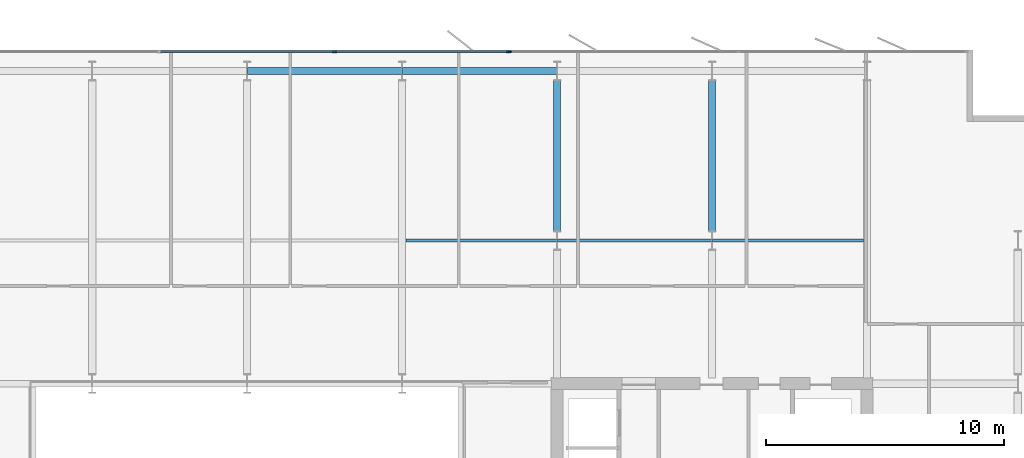
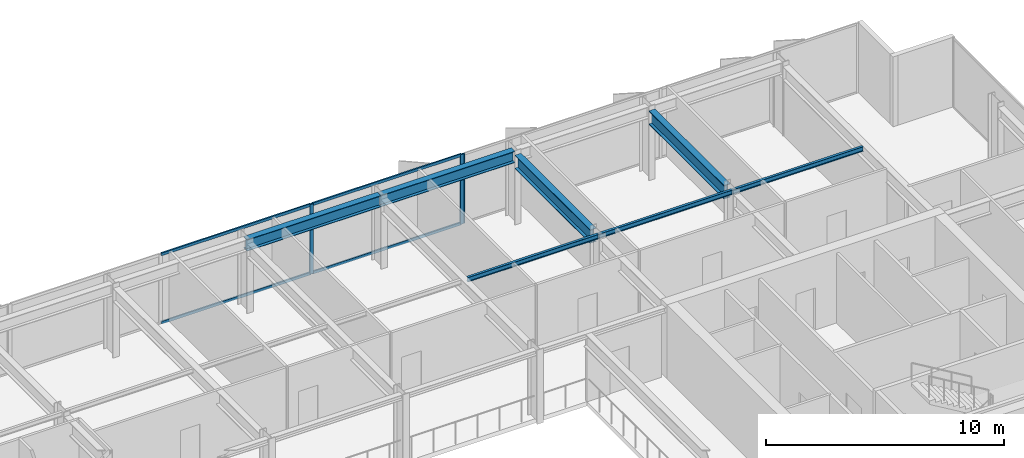
# One storey, part 12 of 23: 7 beams, 7 members, 2 elements without a shape of their own.
"""IFC4 building model written with IfcOpenShell, lengths in metres."""

from ifc_helpers import new_model, si_unit, direction, frame, origin, origin_2d, place, context, subcontext, project, spatial, rectangle, i_section, extrude, material, layer, layer_set, material_profile, profile_set, type_object, element, aggregate, save


model = new_model("IFC4")

# Units and contexts
model_context = context("Model", 3, precision=1e-05, world=origin(), true_north=direction((0.0, 1.0)))
body_context = subcontext(model_context, "Body", "Model", "MODEL_VIEW")
ifc_project = project(units=[si_unit("LENGTHUNIT", "METRE"), si_unit("AREAUNIT", "SQUARE_METRE"), si_unit("VOLUMEUNIT", "CUBIC_METRE"), si_unit("PLANEANGLEUNIT", "RADIAN"), si_unit("MASSUNIT", "GRAM", prefix="KILO")], contexts=[model_context])

# Site, building, storey
site_placement = place(None, origin())
site = spatial("IfcSite", under=ifc_project, at=site_placement, CompositionType="ELEMENT")
building_placement = place(site_placement, origin())
building = spatial("IfcBuilding", under=site, at=building_placement, Name="Putna Gate Headquarters", CompositionType="ELEMENT")
storey_placement = place(building_placement, frame((0.0, 0.0, 229.0)))
storey = spatial("IfcBuildingStorey", under=building, at=storey_placement, Name="L57", CompositionType="ELEMENT", Elevation=229.0)

# Beams
ifc_material_1 = material(Name="Steel S355J2", Category="steel")
ifc_material_profile_1 = material_profile(ifc_material_1, i_section(OverallWidth=0.300048828125, OverallDepth=0.699951171875, WebThickness=0.01708984375, FlangeThickness=0.031982421875, at=origin_2d()), Name="Steel S355J2")
ifc_profile_set_1 = profile_set([ifc_material_profile_1], Name="Steel S355J2")
beam_type_1 = type_object("IfcBeamType", Name="BM-GIRD-B-HEB700", PredefinedType="USERDEFINED", material=ifc_profile_set_1)
for number, where, z_axis, x_axis, name in (
    (1, (52.0, 39.39501953125, 3.22998046875), (0.0, 1.0, 0.0), (-1.0, 0.0, 0.0), "L57 North Primary Girder X52-2"),
    (2, (58.5, 39.39501953125, 3.22998046875), (0.0, 1.0, 0.0), (-1.0, 0.0, 0.0), "L57 North Primary Girder X58-2"),
):
    element("IfcBeam", number, at=place(storey_placement, frame(where, z_axis=z_axis, x_axis=x_axis)), inside=storey, type_object=beam_type_1, Name=name, ObjectType="GIRDER", PredefinedType="USERDEFINED", context=body_context, shape_type="SweptSolid", body=[
        extrude(i_section(OverallWidth=0.300048828125, OverallDepth=0.699951171875, WebThickness=0.01708984375, FlangeThickness=0.031982421875, at=origin_2d()), origin(), (0.0, 0.0, 1.0), 6.330078125),
    ])
ifc_material_profile_2 = material_profile(ifc_material_1, i_section(OverallWidth=0.1201171875, OverallDepth=0.239990234375, WebThickness=0.006103515625, FlangeThickness=0.009765625, at=origin_2d()), Name="Steel S355J2")
ifc_profile_set_2 = profile_set([ifc_material_profile_2], Name="Steel S355J2")
beam_type_2 = type_object("IfcBeamType", Name="BM-SEC-Z4-IPE240", PredefinedType="JOIST", material=ifc_profile_set_2)
beam_1_placement = place(storey_placement, frame((45.654052734375, 39.0, 3.4599609375), z_axis=(1.0, 0.0, 0.0), x_axis=(0.0, 1.0, 0.0)))
element("IfcBeam", 3, at=beam_1_placement, inside=storey, type_object=beam_type_2, Name="L57 North Secondary Beam 6", PredefinedType="JOIST", context=body_context, shape_type="SweptSolid", body=[
    extrude(i_section(OverallWidth=0.1201171875, OverallDepth=0.239990234375, WebThickness=0.006103515625, FlangeThickness=0.009765625, at=origin_2d()), origin(), (0.0, 0.0, 1.0), 6.33984375),
])
beam_2_placement = place(storey_placement, frame((52.006103515625, 39.0, 3.4599609375), z_axis=(1.0, 0.0, 0.0), x_axis=(0.0, 1.0, 0.0)))
element("IfcBeam", 4, at=beam_2_placement, inside=storey, type_object=beam_type_2, Name="L57 North Secondary Beam 7", PredefinedType="JOIST", context=body_context, shape_type="SweptSolid", body=[
    extrude(i_section(OverallWidth=0.1201171875, OverallDepth=0.239990234375, WebThickness=0.006103515625, FlangeThickness=0.009765625, at=origin_2d()), origin(), (0.0, 0.0, 1.0), 6.48779296875),
])
beam_3_placement = place(storey_placement, frame((58.506103515625, 39.0, 3.4599609375), z_axis=(1.0, 0.0, 0.0), x_axis=(0.0, 1.0, 0.0)))
element("IfcBeam", 5, at=beam_3_placement, inside=storey, type_object=beam_type_2, Name="L57 North Secondary Beam 8", PredefinedType="JOIST", context=body_context, shape_type="SweptSolid", body=[
    extrude(i_section(OverallWidth=0.1201171875, OverallDepth=0.239990234375, WebThickness=0.006103515625, FlangeThickness=0.009765625, at=origin_2d()), origin(), (0.0, 0.0, 1.0), 6.33984375),
])
ifc_material_profile_3 = material_profile(ifc_material_1, i_section(OverallWidth=0.300048828125, OverallDepth=0.590087890625, WebThickness=0.012939453125, FlangeThickness=0.02490234375, at=origin_2d()), Name="Steel S355J2")
ifc_profile_set_3 = profile_set([ifc_material_profile_3], Name="Steel S355J2")
beam_type_3 = type_object("IfcBeamType", Name="BM-SPAN-Z4-HEA600", PredefinedType="SPANDREL", material=ifc_profile_set_3)
for number, where, z_axis, x_axis, name in (
    (6, (39.006103515625, 46.1201171875, 3.284912109375), (1.0, 0.0, 0.0), (0.0, 1.0, 0.0), "L57 N Perimeter Spandrel 5"),
    (7, (45.506103515625, 46.1201171875, 3.284912109375), (1.0, 0.0, 0.0), (0.0, 1.0, 0.0), "L57 N Perimeter Spandrel 6"),
):
    element("IfcBeam", number, at=place(storey_placement, frame(where, z_axis=z_axis, x_axis=x_axis)), inside=storey, type_object=beam_type_3, Name=name, PredefinedType="SPANDREL", context=body_context, shape_type="SweptSolid", body=[
        extrude(i_section(OverallWidth=0.300048828125, OverallDepth=0.590087890625, WebThickness=0.012939453125, FlangeThickness=0.02490234375, at=origin_2d()), origin(), (0.0, 0.0, 1.0), 6.48779296875),
    ])

# Curtain wall, member
ifc_material_2 = material(Name="Anodised bronze aluminium curtain wall", Category="aluminium")
ifc_layer_1 = layer(ifc_material_2, 0.139892578125)
ifc_layer_set_1 = layer_set([ifc_layer_1], Name="Anodised bronze aluminium curtain wall")
curtain_wall_type_1 = type_object("IfcCurtainWallType", Name="CW-SYS-Z4", PredefinedType="USERDEFINED", material=ifc_layer_set_1)
curtain_wall_1_placement = place(storey_placement, origin())
curtain_wall_1 = element("IfcCurtainWall", 8, at=curtain_wall_1_placement, inside=storey, type_object=curtain_wall_type_1, Name="L57 North East Curtain Wall", ObjectType="STICK CURTAIN WALL", PredefinedType="USERDEFINED")
ifc_material_3 = material(Name="Anodised bronze aluminium EN AW-6060", Category="aluminium")
ifc_material_profile_4 = material_profile(ifc_material_3, rectangle(XDim=0.06005859375, YDim=0.139892578125, at=origin_2d()), Name="Anodised bronze aluminium EN AW-6060")
ifc_profile_set_4 = profile_set([ifc_material_profile_4], Name="Anodised bronze aluminium EN AW-6060")
member_type_1 = type_object("IfcMemberType", Name="MULL-CWM-4", PredefinedType="MULLION", material=ifc_profile_set_4)
member_1_placement = place(storey_placement, frame((50.030029296875, 46.919921875, 0.0), z_axis=(0.0, 0.0, 1.0), x_axis=(0.0, 1.0, 0.0)))
member_1 = element("IfcMember", 9, at=member_1_placement, type_object=member_type_1, Name="CWS-4 mullion 1", PredefinedType="MULLION", context=body_context, shape_type="SweptSolid", body=[
    extrude(rectangle(XDim=0.06005859375, YDim=0.139892578125, at=origin_2d()), origin(), (0.0, 0.0, 1.0), 3.580078125),
])
aggregate(curtain_wall_1, [member_1])

# Curtain wall, members
ifc_layer_2 = layer(ifc_material_2, 0.179931640625)
ifc_layer_set_2 = layer_set([ifc_layer_2], Name="Anodised bronze aluminium curtain wall")
curtain_wall_type_2 = type_object("IfcCurtainWallType", Name="CW-SYS-ATR", PredefinedType="USERDEFINED", material=ifc_layer_set_2)
curtain_wall_2_placement = place(storey_placement, origin())
curtain_wall_2 = element("IfcCurtainWall", 10, at=curtain_wall_2_placement, inside=storey, type_object=curtain_wall_type_2, Name="L57 North Atrium Clear Glazing", ObjectType="ATRIUM GLAZING", PredefinedType="USERDEFINED")
ifc_material_profile_5 = material_profile(ifc_material_3, rectangle(XDim=0.070068359375, YDim=0.179931640625, at=origin_2d()), Name="Anodised bronze aluminium EN AW-6060")
ifc_profile_set_5 = profile_set([ifc_material_profile_5], Name="Anodised bronze aluminium EN AW-6060")
member_type_2 = type_object("IfcMemberType", Name="MULL-CWM-AT", PredefinedType="MULLION", material=ifc_profile_set_5)
member_2_placement = place(storey_placement, frame((42.666748046875, 46.919921875, 0.0), z_axis=(0.0, 0.0, 1.0), x_axis=(0.0, 1.0, 0.0)))
member_2 = element("IfcMember", 11, at=member_2_placement, type_object=member_type_2, Name="CWS-AT mullion 3", PredefinedType="MULLION", context=body_context, shape_type="SweptSolid", body=[
    extrude(rectangle(XDim=0.070068359375, YDim=0.179931640625, at=origin_2d()), origin(), (0.0, 0.0, 1.0), 3.580078125),
])
member_3_placement = place(storey_placement, frame((49.965087890625, 46.919921875, 0.0), z_axis=(0.0, 0.0, 1.0), x_axis=(0.0, 1.0, 0.0)))
member_3 = element("IfcMember", 12, at=member_3_placement, type_object=member_type_2, Name="CWS-AT mullion 4", PredefinedType="MULLION", context=body_context, shape_type="SweptSolid", body=[
    extrude(rectangle(XDim=0.070068359375, YDim=0.179931640625, at=origin_2d()), origin(), (0.0, 0.0, 1.0), 3.580078125),
])
ifc_material_profile_6 = material_profile(ifc_material_3, rectangle(XDim=0.070068359375, YDim=0.139892578125, at=origin_2d()), Name="Anodised bronze aluminium EN AW-6060")
ifc_profile_set_6 = profile_set([ifc_material_profile_6], Name="Anodised bronze aluminium EN AW-6060")
member_type_3 = type_object("IfcMemberType", Name="TRAN-CWT-AT", PredefinedType="USERDEFINED", material=ifc_profile_set_6)
member_4_placement = place(storey_placement, frame((35.368408203125, 46.919921875, 0.034912109375), z_axis=(1.0, 0.0, 0.0), x_axis=(0.0, 1.0, 0.0)))
member_4 = element("IfcMember", 13, at=member_4_placement, type_object=member_type_3, Name="CWS-AT transom 2.1", ObjectType="TRANSOM", PredefinedType="USERDEFINED", context=body_context, shape_type="SweptSolid", body=[
    extrude(rectangle(XDim=0.070068359375, YDim=0.139892578125, at=origin_2d()), origin(), (0.0, 0.0, 1.0), 7.26318359375),
])
member_5_placement = place(storey_placement, frame((35.368408203125, 46.919921875, 3.544921875), z_axis=(1.0, 0.0, 0.0), x_axis=(0.0, 1.0, 0.0)))
member_5 = element("IfcMember", 14, at=member_5_placement, type_object=member_type_3, Name="CWS-AT transom 2.2", ObjectType="TRANSOM", PredefinedType="USERDEFINED", context=body_context, shape_type="SweptSolid", body=[
    extrude(rectangle(XDim=0.070068359375, YDim=0.139892578125, at=origin_2d()), origin(), (0.0, 0.0, 1.0), 7.26318359375),
])
member_6_placement = place(storey_placement, frame((42.70166015625, 46.919921875, 0.034912109375), z_axis=(1.0, 0.0, 0.0), x_axis=(0.0, 1.0, 0.0)))
member_6 = element("IfcMember", 15, at=member_6_placement, type_object=member_type_3, Name="CWS-AT transom 3.1", ObjectType="TRANSOM", PredefinedType="USERDEFINED", context=body_context, shape_type="SweptSolid", body=[
    extrude(rectangle(XDim=0.070068359375, YDim=0.139892578125, at=origin_2d()), origin(), (0.0, 0.0, 1.0), 7.228271484375),
])
member_7_placement = place(storey_placement, frame((42.70166015625, 46.919921875, 3.544921875), z_axis=(1.0, 0.0, 0.0), x_axis=(0.0, 1.0, 0.0)))
member_7 = element("IfcMember", 16, at=member_7_placement, type_object=member_type_3, Name="CWS-AT transom 3.2", ObjectType="TRANSOM", PredefinedType="USERDEFINED", context=body_context, shape_type="SweptSolid", body=[
    extrude(rectangle(XDim=0.070068359375, YDim=0.139892578125, at=origin_2d()), origin(), (0.0, 0.0, 1.0), 7.228271484375),
])
aggregate(curtain_wall_2, [member_2, member_3, member_4, member_5, member_6, member_7])

save(model, "model.ifc")
